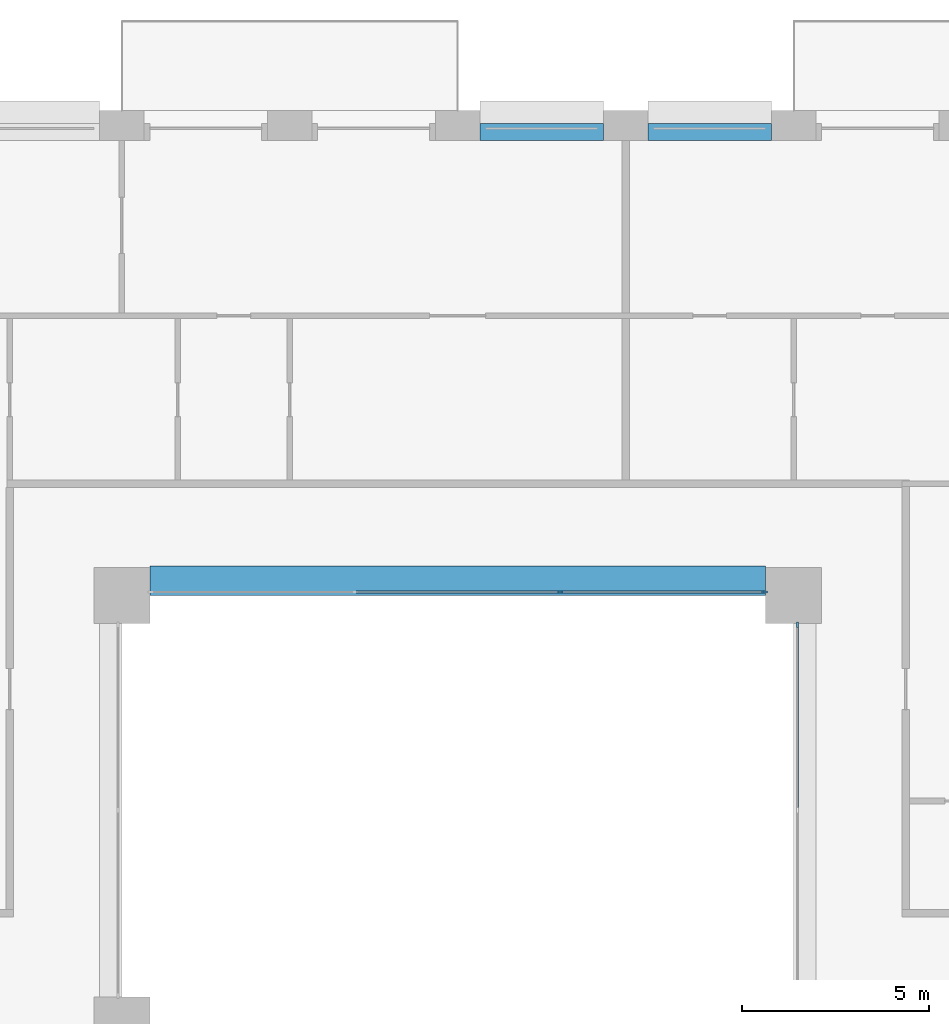
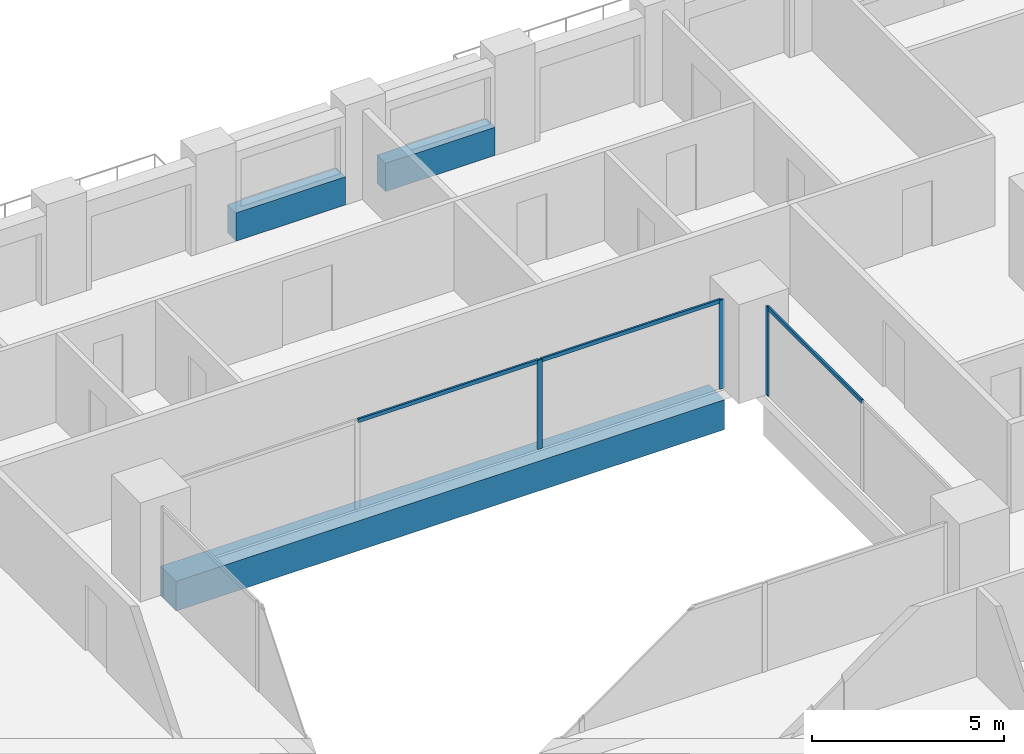
# One storey, part 7 of 19: 6 members, 3 beams, 2 elements without a shape of their own.
"""IFC4 building model written with IfcOpenShell, lengths in metres."""

from ifc_helpers import new_model, si_unit, direction, frame, origin, origin_2d, place, context, subcontext, project, spatial, rectangle, extrude, material, layer, layer_set, material_profile, profile_set, type_object, element, aggregate, save


model = new_model("IFC4")

# Units and contexts
model_context = context("Model", 3, precision=1e-05, world=origin(), true_north=direction((0.0, 1.0)))
body_context = subcontext(model_context, "Body", "Model", "MODEL_VIEW")
ifc_project = project(units=[si_unit("LENGTHUNIT", "METRE"), si_unit("AREAUNIT", "SQUARE_METRE"), si_unit("VOLUMEUNIT", "CUBIC_METRE"), si_unit("PLANEANGLEUNIT", "RADIAN"), si_unit("MASSUNIT", "GRAM", prefix="KILO")], contexts=[model_context])

# Site, building, storey
site_placement = place(None, origin())
site = spatial("IfcSite", under=ifc_project, at=site_placement, CompositionType="ELEMENT")
building_placement = place(site_placement, origin())
building = spatial("IfcBuilding", under=site, at=building_placement, Name="Brigalow Station Residences", CompositionType="ELEMENT")
storey_placement = place(building_placement, frame((0.0, 0.0, 28.949951171875)))
storey = spatial("IfcBuildingStorey", under=building, at=storey_placement, Name="L07", CompositionType="ELEMENT", Elevation=28.949951171875)

# Beam
ifc_material_1 = material(Name="Concrete C65", Category="concrete")
ifc_material_profile_1 = material_profile(ifc_material_1, rectangle(XDim=0.800048828125, YDim=0.949951171875, at=origin_2d()), Name="RC800x950")
ifc_profile_set_1 = profile_set([ifc_material_profile_1], Name="Concrete C65")
beam_type_1 = type_object("IfcBeamType", Name="ATRIUM EDGE GIRDER OVER 13.5 M SPAN 800x950 C65", PredefinedType="BEAM", material=ifc_profile_set_1)
beam_placement = place(storey_placement, frame((27.75, 35.89990234375, -0.794921875), z_axis=(1.0, 0.0, 0.0), x_axis=(0.0, 1.0, 0.0)))
element("IfcBeam", 1, at=beam_placement, inside=storey, type_object=beam_type_1, Name="ATRIUM EDGE GIRDER D L07", PredefinedType="BEAM", context=body_context, shape_type="SweptSolid", body=[
    extrude(rectangle(XDim=0.800048828125, YDim=0.949951171875, at=origin_2d()), origin(), (0.0, 0.0, 1.0), 16.5),
])

# Curtain wall, member
ifc_material_2 = material(Name="Aluminium", Category="aluminium")
ifc_layer = layer(ifc_material_2, 0.14990234375)
ifc_layer_set = layer_set([ifc_layer], Name="ATRIUM FIRE-RATED GLAZING CURTAIN WALL")
curtain_wall_type = type_object("IfcCurtainWallType", Name="ATRIUM FIRE-RATED GLAZING CURTAIN WALL", PredefinedType="NOTDEFINED", material=ifc_layer_set)
curtain_wall_1_placement = place(storey_placement, origin())
curtain_wall_1 = element("IfcCurtainWall", 2, at=curtain_wall_1_placement, inside=storey, type_object=curtain_wall_type, Name="L07/cw/atrium-E", PredefinedType="NOTDEFINED")
ifc_material_3 = material(Name="Aluminium", Category="aluminium")
ifc_material_profile_2 = material_profile(ifc_material_3, rectangle(XDim=0.06005859375, YDim=0.14990234375, at=origin_2d()), Name="ATRIUM FIRE-RATED GLAZING MULLION 60x150")
ifc_profile_set_2 = profile_set([ifc_material_profile_2], Name="Aluminium")
member_type_1 = type_object("IfcMemberType", Name="ATRIUM FIRE-RATED GLAZING MULLION 60x150", PredefinedType="MULLION", material=ifc_profile_set_2)
member_1_placement = place(storey_placement, frame((45.10009765625, 34.719970703125, 0.0), z_axis=(0.0, 0.0, 1.0), x_axis=(-1.0, 0.0, 0.0)))
member_1 = element("IfcMember", 3, at=member_1_placement, type_object=member_type_1, Name="L07/cw/atrium-E/M02", PredefinedType="MULLION", context=body_context, shape_type="SweptSolid", body=[
    extrude(rectangle(XDim=0.06005859375, YDim=0.14990234375, at=origin_2d()), origin(), (0.0, 0.0, 1.0), 2.830078125),
])

# Curtain wall, members
curtain_wall_2_placement = place(storey_placement, origin())
curtain_wall_2 = element("IfcCurtainWall", 4, at=curtain_wall_2_placement, inside=storey, type_object=curtain_wall_type, Name="L07/cw/atrium-N", PredefinedType="NOTDEFINED")
member_2_placement = place(storey_placement, frame((44.219970703125, 35.60009765625, 0.0), z_axis=(0.0, 0.0, 1.0), x_axis=(0.0, -1.0, 0.0)))
member_2 = element("IfcMember", 5, at=member_2_placement, type_object=member_type_1, Name="L07/cw/atrium-N/M00", PredefinedType="MULLION", context=body_context, shape_type="SweptSolid", body=[
    extrude(rectangle(XDim=0.06005859375, YDim=0.14990234375, at=origin_2d()), origin(), (0.0, 0.0, 1.0), 2.830078125),
])
member_3_placement = place(storey_placement, frame((38.75, 35.60009765625, 0.0), z_axis=(0.0, 0.0, 1.0), x_axis=(0.0, -1.0, 0.0)))
member_3 = element("IfcMember", 6, at=member_3_placement, type_object=member_type_1, Name="L07/cw/atrium-N/M01", PredefinedType="MULLION", context=body_context, shape_type="SweptSolid", body=[
    extrude(rectangle(XDim=0.06005859375, YDim=0.14990234375, at=origin_2d()), origin(), (0.0, 0.0, 1.0), 2.830078125),
])

# Member
ifc_material_4 = material(Name="Aluminium", Category="aluminium")
ifc_material_profile_3 = material_profile(ifc_material_4, rectangle(XDim=0.06005859375, YDim=0.1201171875, at=origin_2d()), Name="ATRIUM FIRE-RATED GLAZING TRANSOM 60x120")
ifc_profile_set_3 = profile_set([ifc_material_profile_3], Name="Aluminium")
member_type_2 = type_object("IfcMemberType", Name="ATRIUM FIRE-RATED GLAZING TRANSOM 60x120", PredefinedType="USERDEFINED", material=ifc_profile_set_3)
member_4_placement = place(storey_placement, frame((45.10009765625, 29.780029296875, 2.800048828125), z_axis=(0.0, 1.0, 0.0), x_axis=(-1.0, 0.0, 0.0)))
member_4 = element("IfcMember", 7, at=member_4_placement, type_object=member_type_2, Name="L07/cw/atrium-E/T01-00", ObjectType="TRANSOM", PredefinedType="USERDEFINED", context=body_context, shape_type="SweptSolid", body=[
    extrude(rectangle(XDim=0.06005859375, YDim=0.1201171875, at=origin_2d()), origin(), (0.0, 0.0, 1.0), 4.909912109375),
])

aggregate(curtain_wall_1, [member_1, member_4])

member_5_placement = place(storey_placement, frame((44.18994140625, 35.60009765625, 2.800048828125), z_axis=(-1.0, 0.0, 0.0), x_axis=(0.0, -1.0, 0.0)))
member_5 = element("IfcMember", 8, at=member_5_placement, type_object=member_type_2, Name="L07/cw/atrium-N/T00-00", ObjectType="TRANSOM", PredefinedType="USERDEFINED", context=body_context, shape_type="SweptSolid", body=[
    extrude(rectangle(XDim=0.06005859375, YDim=0.1201171875, at=origin_2d()), origin(), (0.0, 0.0, 1.0), 5.409912109375),
])

member_6_placement = place(storey_placement, frame((38.719970703125, 35.60009765625, 2.800048828125), z_axis=(-1.0, 0.0, 0.0), x_axis=(0.0, -1.0, 0.0)))
member_6 = element("IfcMember", 9, at=member_6_placement, type_object=member_type_2, Name="L07/cw/atrium-N/T01-00", ObjectType="TRANSOM", PredefinedType="USERDEFINED", context=body_context, shape_type="SweptSolid", body=[
    extrude(rectangle(XDim=0.06005859375, YDim=0.1201171875, at=origin_2d()), origin(), (0.0, 0.0, 1.0), 5.43994140625),
])

aggregate(curtain_wall_2, [member_2, member_3, member_5, member_6])

# Beams
ifc_material_5 = material(Name="Concrete C65", Category="concrete")
ifc_material_profile_4 = material_profile(ifc_material_5, rectangle(XDim=0.449951171875, YDim=0.89990234375, at=origin_2d()), Name="RC450x900")
ifc_profile_set_4 = profile_set([ifc_material_profile_4], Name="Concrete C65")
beam_type_2 = type_object("IfcBeamType", Name="SPANDREL BEAM 450x900 C65", PredefinedType="SPANDREL", material=ifc_profile_set_4)
for number, where, z_axis, x_axis, name in (
    (10, (44.39990234375, 47.925048828125, 0.449951171875), (-1.0, 0.0, 0.0), (0.0, -1.0, 0.0), "L07/spandrel/W-L07-31"),
    (11, (39.89990234375, 47.925048828125, 0.449951171875), (-1.0, 0.0, 0.0), (0.0, -1.0, 0.0), "L07/spandrel/W-L07-32"),
):
    element("IfcBeam", number, at=place(storey_placement, frame(where, z_axis=z_axis, x_axis=x_axis)), inside=storey, type_object=beam_type_2, Name=name, PredefinedType="SPANDREL", context=body_context, shape_type="SweptSolid", body=[
        extrude(rectangle(XDim=0.449951171875, YDim=0.89990234375, at=origin_2d()), origin(), (0.0, 0.0, 1.0), 3.2998046875),
    ])

save(model, "model.ifc")
